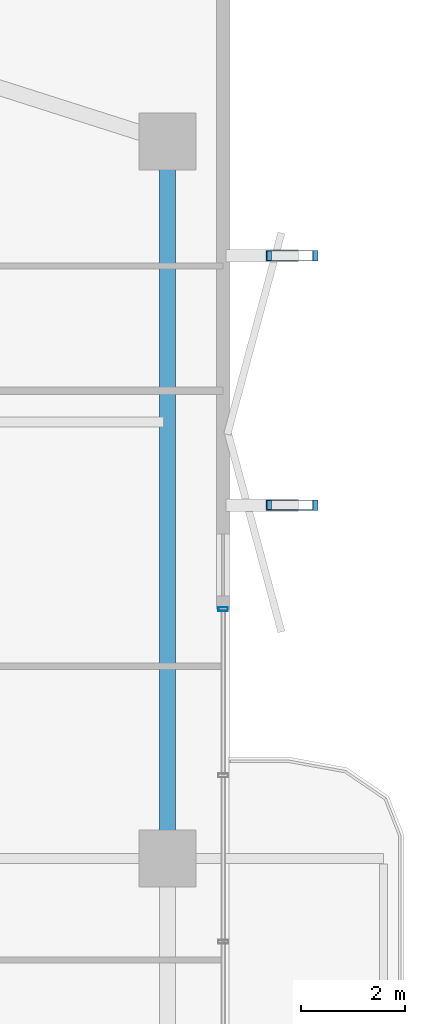
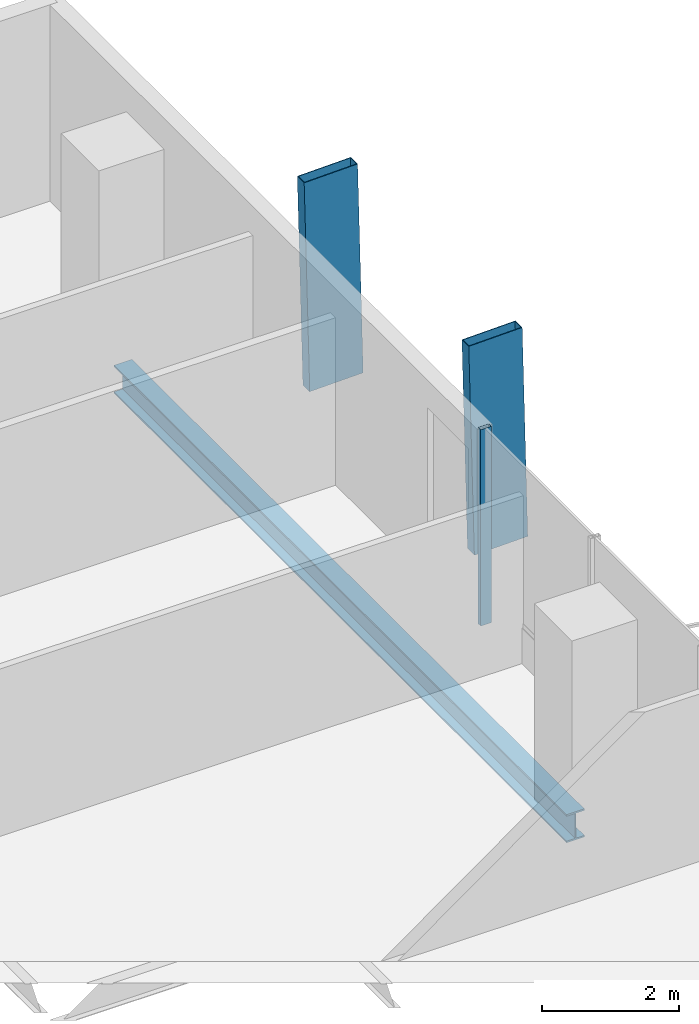
# One storey, part 16 of 25: 3 members, 1 beam, 1 element without a shape of its own.
"""IFC4 building model written with IfcOpenShell, lengths in metres."""

import ifcopenshell
import ifcopenshell.guid

model = None  # the IFC model being written
_history = None  # IfcOwnerHistory: only IFC2X3 demands one
_inside = {}  # id of a spatial element -> (the spatial element, [elements in it])
_under = {}  # id of a project, library or spatial element -> (it, [spatial elements below it])
_declared = {}  # id of a project -> (the project, [libraries it declares])
_typed = {}  # id of a type object -> (the type object, [elements of that type])
_made_of = {}  # id of a material, layer set ... -> (it, [elements and type objects made of it])


def new_model(schema):
    """Start an empty IFC model of exactly this schema.

    Asked for "IFC4X3", IfcOpenShell would pick the latest addendum, in which some entities
    have other attributes; the version numbers below select the first issue.
    IFC2X3 requires an IfcOwnerHistory on every rooted entity: one is made here for all.
    """
    global model, _history
    if schema == "IFC4X3":
        model = ifcopenshell.file(schema_version=(4, 3, 0, 0))
    else:
        model = ifcopenshell.file(schema=schema)
    _inside.clear()
    _under.clear()
    _declared.clear()
    _typed.clear()
    _made_of.clear()
    _history = None
    if model.schema == "IFC2X3":
        org = make("IfcOrganization", Name="unknown")
        user = make(
            "IfcPersonAndOrganization",
            ThePerson=make("IfcPerson", FamilyName="unknown"),
            TheOrganization=org,
        )
        app = make(
            "IfcApplication",
            ApplicationDeveloper=org,
            Version="unknown",
            ApplicationFullName="unknown",
            ApplicationIdentifier="unknown",
        )
        _history = make(
            "IfcOwnerHistory",
            OwningUser=user,
            OwningApplication=app,
            ChangeAction="ADDED",
            CreationDate=0,
        )
    return model


def make(cls, **values):
    """One entity of the class cls with the attributes given. An attribute that is None is left unset."""
    return model.create_entity(
        cls, **{name: value for name, value in values.items() if value is not None}
    )


def rooted(cls, **values):
    """An entity with a GlobalId (a new one), such as an element, a storey or a relation."""
    return make(cls, GlobalId=ifcopenshell.guid.new(), OwnerHistory=_history, **values)


def si_unit(unit_type, name, prefix=None):
    """IfcSIUnit, for example si_unit("LENGTHUNIT", "METRE", prefix="MILLI")."""
    return make("IfcSIUnit", UnitType=unit_type, Prefix=prefix, Name=name)


def assignment(units):
    """IfcUnitAssignment: the units of a project."""
    return None if units is None else make("IfcUnitAssignment", Units=units)


def point(xyz):
    """IfcCartesianPoint."""
    return None if xyz is None else make("IfcCartesianPoint", Coordinates=xyz)


def direction(xyz):
    """IfcDirection."""
    return None if xyz is None else make("IfcDirection", DirectionRatios=xyz)


def frame(location, z_axis=None, x_axis=None):
    """IfcAxis2Placement3D, a coordinate frame: its origin and axes. An axis left out is left unset."""
    return make(
        "IfcAxis2Placement3D",
        Location=point(location),
        Axis=direction(z_axis),
        RefDirection=direction(x_axis),
    )


def frame_2d(location, x_axis=None):
    """IfcAxis2Placement2D, a coordinate frame in the plane: its origin and x axis."""
    return make(
        "IfcAxis2Placement2D", Location=point(location), RefDirection=direction(x_axis)
    )


def origin():
    """The frame at (0, 0, 0) with its axes left unset."""
    return frame((0.0, 0.0, 0.0))


def origin_2d():
    """The frame at (0, 0) in the plane with its x axis left unset."""
    return frame_2d((0.0, 0.0))


def place(relative_to, where):
    """IfcLocalPlacement: puts the frame where relative to a parent placement (None: the world)."""
    return make(
        "IfcLocalPlacement", PlacementRelTo=relative_to, RelativePlacement=where
    )


def context(
    kind, dimensions, precision=None, world=None, true_north=None, identifier=None
):
    """IfcGeometricRepresentationContext, for example the 3D "Model" context."""
    return make(
        "IfcGeometricRepresentationContext",
        ContextIdentifier=identifier,
        ContextType=kind,
        CoordinateSpaceDimension=dimensions,
        Precision=precision,
        WorldCoordinateSystem=world,
        TrueNorth=true_north,
    )


def subcontext(parent, identifier, kind, view, scale=None):
    """IfcGeometricRepresentationSubContext, for example "Body" below "Model"."""
    return make(
        "IfcGeometricRepresentationSubContext",
        ContextIdentifier=identifier,
        ContextType=kind,
        ParentContext=parent,
        TargetScale=scale,
        TargetView=view,
    )


def project(units=None, contexts=None):
    """IfcProject with its units and contexts."""
    return rooted(
        "IfcProject",
        Name="project",
        RepresentationContexts=contexts,
        UnitsInContext=assignment(units),
    )


def spatial(cls, under=None, at=None, **own):
    """A site, building, storey or space (cls), placed at a placement, below another one or the project."""
    s = rooted(cls, ObjectPlacement=at, **own)
    if under is not None:
        _under.setdefault(under.id(), (under, []))[1].append(s)
    return s


def profile(cls, at=None, kind="AREA", **sizes):
    """A parametric profile (cls). Its sizes go by their IFC names, for example OverallWidth=200.0."""
    return make(cls, ProfileType=kind, Position=at, **sizes)


def hollow_rectangle(**sizes):
    """IfcRectangleHollowProfileDef."""
    return profile("IfcRectangleHollowProfileDef", **sizes)


def i_section(**sizes):
    """IfcIShapeProfileDef."""
    return profile("IfcIShapeProfileDef", **sizes)


def extrude(swept, where, along, depth):
    """IfcExtrudedAreaSolid: the profile swept, set in the frame where, extruded along a direction by depth."""
    return make(
        "IfcExtrudedAreaSolid",
        SweptArea=swept,
        Position=where,
        ExtrudedDirection=direction(along),
        Depth=depth,
    )


def shape(context_of_items, identifier, shape_type, items):
    """IfcShapeRepresentation: the items that make up one representation, for example the "Body"."""
    return make(
        "IfcShapeRepresentation",
        ContextOfItems=context_of_items,
        RepresentationIdentifier=identifier,
        RepresentationType=shape_type,
        Items=items,
    )


def material(Name=None, Category=None):
    """IfcMaterial."""
    return make("IfcMaterial", Name=Name, Category=Category)


def layer(
    of_material, thickness, ventilated=None, Name=None, Category=None, Priority=None
):
    """IfcMaterialLayer: one layer of a wall or slab, of a material (None: an air gap)."""
    return make(
        "IfcMaterialLayer",
        Material=of_material,
        LayerThickness=thickness,
        IsVentilated=ventilated,
        Name=Name,
        Category=Category,
        Priority=Priority,
    )


def layer_set(layers, Name=None):
    """IfcMaterialLayerSet."""
    return make("IfcMaterialLayerSet", MaterialLayers=layers, LayerSetName=Name)


def material_profile(
    of_material, cross_section, Name=None, Category=None, Priority=None
):
    """IfcMaterialProfile: a cross section and its material."""
    return make(
        "IfcMaterialProfile",
        Name=Name,
        Material=of_material,
        Profile=cross_section,
        Priority=Priority,
        Category=Category,
    )


def profile_set(profiles, Name=None, composite=None):
    """IfcMaterialProfileSet."""
    return make(
        "IfcMaterialProfileSet",
        Name=Name,
        MaterialProfiles=profiles,
        CompositeProfile=composite,
    )


def made_of(thing, what):
    """Note that an element or type object is made of a material, layer set ...; save() writes the relation."""
    if what is not None:
        _made_of.setdefault(what.id(), (what, []))[1].append(thing)
    return thing


def type_object(cls, material=None, **own):
    """A type object (cls), such as IfcWallType, which elements share."""
    return made_of(rooted(cls, **own), material)


def element(
    cls,
    number,
    at=None,
    inside=None,
    cuts=None,
    type_object=None,
    material=None,
    context=None,
    identifier="Body",
    shape_type=None,
    held_by="IfcProductDefinitionShape",
    body=None,
    shapes=None,
    **own,
):
    """One element of the class cls, such as IfcWall. Its Tag is "e" and its number.

    at: its placement. inside: the storey or other place that contains it. cuts: it is an
    opening in that element (IfcRelVoidsElement). A single representation is given by context,
    identifier, shape_type and body (its items); several are given by shapes. held_by: the class
    of the entity that holds the representations. save() writes the other relations.
    """
    e = rooted(cls, Tag="e%d" % number, ObjectPlacement=at, **own)
    if body is not None:
        shapes = [shape(context, identifier, shape_type, body)]
    if shapes is not None:
        e.Representation = make(held_by, Representations=shapes)
    if inside is not None:
        _inside.setdefault(inside.id(), (inside, []))[1].append(e)
    if cuts is not None:
        rooted(
            "IfcRelVoidsElement", RelatingBuildingElement=cuts, RelatedOpeningElement=e
        )
    if type_object is not None:
        _typed.setdefault(type_object.id(), (type_object, []))[1].append(e)
    return made_of(e, material)


def aggregate(whole, parts):
    """IfcRelAggregates: a whole, such as a stair, and the parts it consists of."""
    return rooted("IfcRelAggregates", RelatingObject=whole, RelatedObjects=parts)


def save(model, path):
    """Write the relations noted so far, then the file.

    IfcRelAggregates (storeys below a building ...), IfcRelContainedInSpatialStructure (elements
    in a storey), IfcRelDefinesByType, IfcRelAssociatesMaterial and IfcRelDeclares: one each for
    every whole, place, type object, material and project.
    """
    for whole, parts in _under.values():
        aggregate(whole, parts)
    for where, things in _inside.values():
        rooted(
            "IfcRelContainedInSpatialStructure",
            RelatedElements=things,
            RelatingStructure=where,
        )
    for kind, things in _typed.values():
        rooted("IfcRelDefinesByType", RelatedObjects=things, RelatingType=kind)
    for what, things in _made_of.values():
        rooted("IfcRelAssociatesMaterial", RelatedObjects=things, RelatingMaterial=what)
    for by, libraries in _declared.values():
        rooted("IfcRelDeclares", RelatingContext=by, RelatedDefinitions=libraries)
    model.write(path)


model = new_model("IFC4")

# Units and contexts
model_context = context("Model", 3, precision=1e-05, world=origin(), true_north=direction((0.0, 1.0)))
body_context = subcontext(model_context, "Body", "Model", "MODEL_VIEW")
ifc_project = project(units=[si_unit("LENGTHUNIT", "METRE"), si_unit("AREAUNIT", "SQUARE_METRE"), si_unit("VOLUMEUNIT", "CUBIC_METRE"), si_unit("PLANEANGLEUNIT", "RADIAN"), si_unit("MASSUNIT", "GRAM", prefix="KILO")], contexts=[model_context])

# Site, building, storey
site_placement = place(None, origin())
site = spatial("IfcSite", under=ifc_project, at=site_placement, CompositionType="ELEMENT")
building_placement = place(site_placement, origin())
building = spatial("IfcBuilding", under=site, at=building_placement, Name="Belovzor Exchange Tower", CompositionType="ELEMENT")
storey_placement = place(building_placement, frame((0.0, 0.0, 160.800048828125)))
storey = spatial("IfcBuildingStorey", under=building, at=storey_placement, Name="L39", CompositionType="ELEMENT", Elevation=160.800048828125)

# Members
ifc_material_1 = material(Name="Extruded Architectural Terracotta on Steel S355 Carrier", Category="masonry")
ifc_material_profile_1 = material_profile(ifc_material_1, hollow_rectangle(XDim=0.199951171875, YDim=0.89990234375, WallThickness=0.011962890625, at=origin_2d()))
ifc_profile_set_1 = profile_set([ifc_material_profile_1], Name="Extruded Architectural Terracotta on Steel S355 Carrier")
member_type_1 = type_object("IfcMemberType", Name="Sweeping Terracotta Baguette Fin Assembly 1250", PredefinedType="USERDEFINED", material=ifc_profile_set_1)
for number, where, z_axis, x_axis, name in (
    (1, (54.341064453125, 35.60009765625, -0.255126953125), (-0.025057234181, 0.0, 0.999686018215), (0.0, -1.0, 0.0), "FIN-TC125 Terracotta Facade Fin L39 E3"),
    (2, (54.341064453125, 40.39990234375, -0.255126953125), (-0.025057234181, 0.0, 0.999686018215), (0.0, -1.0, 0.0), "FIN-TC125 Terracotta Facade Fin L39 E4"),
):
    element("IfcMember", number, at=place(storey_placement, frame(where, z_axis=z_axis, x_axis=x_axis)), inside=storey, type_object=member_type_1, Name=name, ObjectType="FIN", PredefinedType="USERDEFINED", context=body_context, shape_type="SweptSolid", body=[
        extrude(hollow_rectangle(XDim=0.199951171875, YDim=0.89990234375, WallThickness=0.011962890625, at=origin_2d()), origin(), (0.0, 0.0, 1.0), 3.751220703125),
    ])

# Curtain wall, member
ifc_material_2 = material(Name="Anodised Aluminium Framing", Category="aluminium")
ifc_layer = layer(ifc_material_2, 0.179931640625)
ifc_layer_set = layer_set([ifc_layer], Name="Anodised Aluminium Framing")
curtain_wall_type = type_object("IfcCurtainWallType", Name="Recessed Loggia Low-Iron Triple-Glazed Curtain Wall", PredefinedType="NOTDEFINED", material=ifc_layer_set)
curtain_wall_placement = place(storey_placement, origin())
curtain_wall = element("IfcCurtainWall", 3, at=curtain_wall_placement, inside=storey, type_object=curtain_wall_type, Name="CW3 Recessed Loggia Low-Iron Triple-Glazed Curtain Wall L39", PredefinedType="NOTDEFINED")
ifc_material_3 = material(Name="Steel S355", Category="steel")
ifc_material_profile_2 = material_profile(ifc_material_3, hollow_rectangle(XDim=0.074951171875, YDim=0.179931640625, WallThickness=0.0048828125, at=origin_2d()))
ifc_profile_set_2 = profile_set([ifc_material_profile_2], Name="Steel S355")
member_type_2 = type_object("IfcMemberType", Name="Thermally Broken Curtain Wall Mullion 180x75", PredefinedType="MULLION", material=ifc_profile_set_2)
member_placement = place(storey_placement, frame((52.969970703125, 33.60009765625, 0.0), z_axis=(0.0, 0.0, 1.0), x_axis=(0.0, -1.0, 0.0)))
member = element("IfcMember", 4, at=member_placement, type_object=member_type_2, Name="CW-M180 Curtain Wall Mullion 1", PredefinedType="MULLION", context=body_context, shape_type="SweptSolid", body=[
    extrude(hollow_rectangle(XDim=0.074951171875, YDim=0.179931640625, WallThickness=0.0048828125, at=origin_2d()), origin(), (0.0, 0.0, 1.0), 3.494873046875),
])
aggregate(curtain_wall, [member])

# Beam
ifc_material_4 = material(Name="Steel S355", Category="steel")
ifc_material_profile_3 = material_profile(ifc_material_4, i_section(OverallWidth=0.300048828125, OverallDepth=0.5, WebThickness=0.014404296875, FlangeThickness=0.028076171875, at=origin_2d()))
ifc_profile_set_3 = profile_set([ifc_material_profile_3], Name="Steel S355")
beam_type = type_object("IfcBeamType", Name="Zone 3 Waist Primary Girder HEB 500", PredefinedType="BEAM", material=ifc_profile_set_3)
beam_placement = place(storey_placement, frame((51.89990234375, 29.10205078125, -0.505126953125), z_axis=(0.0, 1.0, 0.0), x_axis=(-1.0, 0.0, 0.0)))
element("IfcBeam", 5, at=beam_placement, inside=storey, type_object=beam_type, Name="FG-Z3 Zone 3 Waist Primary Girder HEB 500", PredefinedType="BEAM", context=body_context, shape_type="SweptSolid", body=[
    extrude(i_section(OverallWidth=0.300048828125, OverallDepth=0.5, WebThickness=0.014404296875, FlangeThickness=0.028076171875, at=origin_2d()), origin(), (0.0, 0.0, 1.0), 13.195068359375),
])

save(model, "model.ifc")
